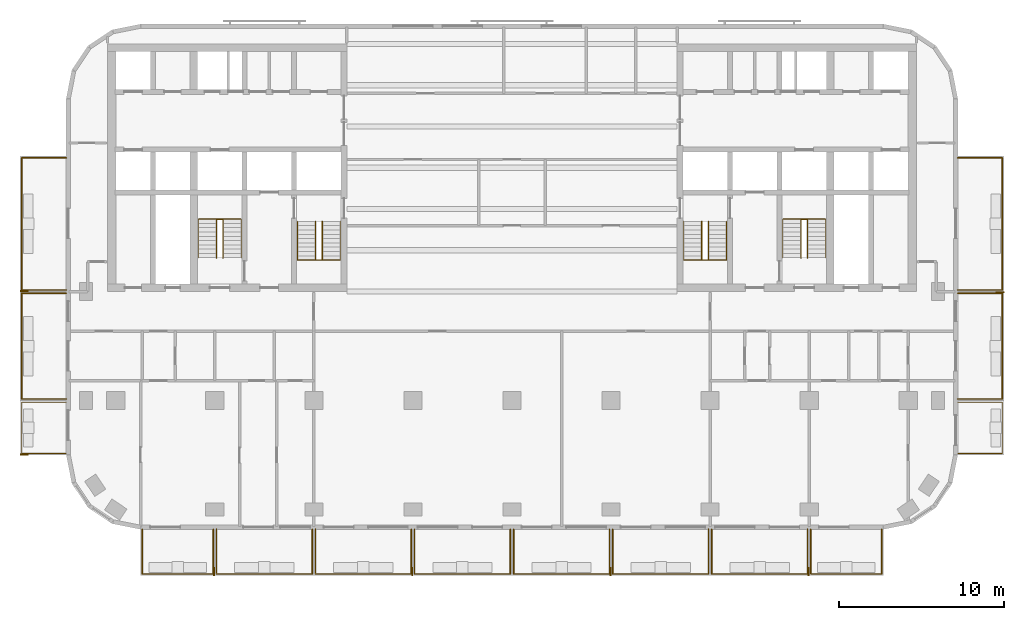
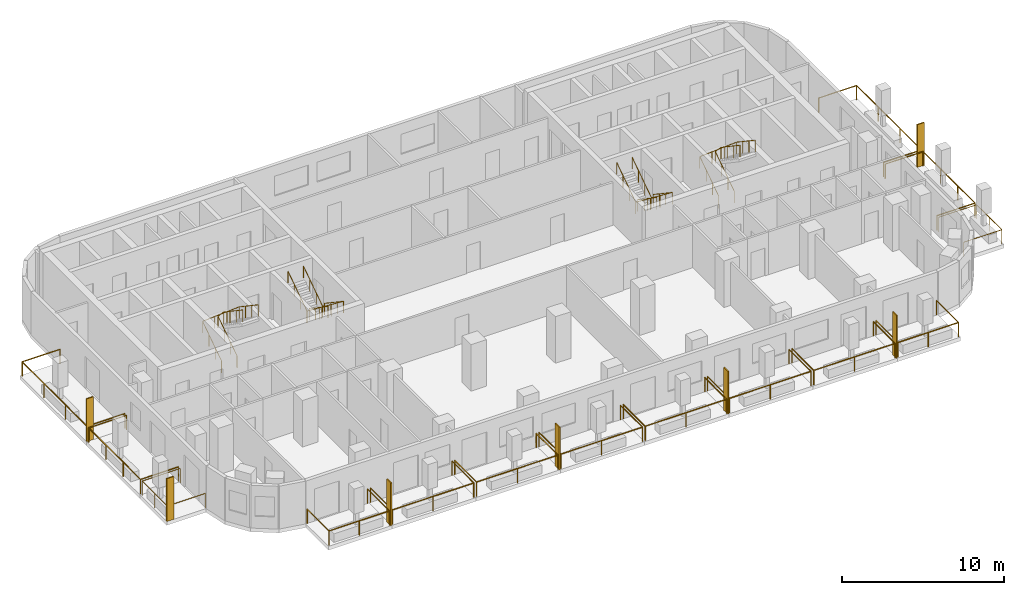
# One storey, part 9 of 11: 22 railings, 7 shading devices.
"""IFC4 building model written with IfcOpenShell, lengths in metres."""

from ifc_helpers import new_model, si_unit, direction, frame, origin, origin_2d, place, context, subcontext, project, spatial, rectangle, circle, extrude, material, layer, layer_set, type_object, element, save


model = new_model("IFC4")

# Units and contexts
model_context = context("Model", 3, precision=1e-05, world=origin(), true_north=direction((0.0, 1.0)))
body_context = subcontext(model_context, "Body", "Model", "MODEL_VIEW")
ifc_project = project(units=[si_unit("LENGTHUNIT", "METRE"), si_unit("AREAUNIT", "SQUARE_METRE"), si_unit("VOLUMEUNIT", "CUBIC_METRE"), si_unit("PLANEANGLEUNIT", "RADIAN"), si_unit("MASSUNIT", "GRAM", prefix="KILO")], contexts=[model_context])

# Site, building, storey
site_placement = place(None, origin())
site = spatial("IfcSite", under=ifc_project, at=site_placement, CompositionType="ELEMENT")
building_placement = place(site_placement, origin())
building = spatial("IfcBuilding", under=site, at=building_placement, Name="Torana Hotel and Residences", CompositionType="ELEMENT")
storey_placement = place(building_placement, frame((0.0, 0.0, 211.60009765625)))
storey = spatial("IfcBuildingStorey", under=building, at=storey_placement, Name="L55", CompositionType="ELEMENT", Elevation=211.60009765625)

# Shading devices
ifc_material_1 = material(Name="Black powder coated aluminium", Category="aluminium")
ifc_layer = layer(ifc_material_1, 0.080078125)
ifc_layer_set = layer_set([ifc_layer], Name="FN1 VERTICAL FIN 500x80")
shading_device_type = type_object("IfcShadingDeviceType", Name="FN1 VERTICAL FIN 500x80", PredefinedType="USERDEFINED", material=ifc_layer_set)
for number, where, z_axis, x_axis, name in (
    (1, (-18.0400390625, -31.949951171875, 0.0), (0.0, 0.0, 1.0), (-1.0, 0.0, 0.0), "Fin 01"),
    (2, (-6.0400390625, -31.949951171875, 0.0), (0.0, 0.0, 1.0), (-1.0, 0.0, 0.0), "Fin 03"),
    (3, (5.9599609375, -31.949951171875, 0.0), (0.0, 0.0, 1.0), (-1.0, 0.0, 0.0), "Fin 05"),
    (4, (17.9599609375, -31.949951171875, 0.0), (0.0, 0.0, 1.0), (-1.0, 0.0, 0.0), "Fin 07"),
    (5, (-29.550048828125, -24.860107421875, 0.0), (0.0, 0.0, 1.0), (0.0, 1.0, 0.0), "Fin 09"),
    (6, (-29.550048828125, -14.9599609375, 0.0), (0.0, 0.0, 1.0), (0.0, 1.0, 0.0), "Fin 11"),
    (7, (29.550048828125, -15.0400390625, 0.0), (0.0, 0.0, 1.0), (0.0, -1.0, 0.0), "Fin 13"),
):
    element("IfcShadingDevice", number, at=place(storey_placement, frame(where, z_axis=z_axis, x_axis=x_axis)), inside=storey, type_object=shading_device_type, Name=name, ObjectType="FIN", PredefinedType="USERDEFINED", context=body_context, shape_type="SweptSolid", body=[
        extrude(rectangle(XDim=0.080078125, YDim=0.5, at=origin_2d()), origin(), (0.0, 0.0, 1.0), 3.219970703125),
    ])

# Railings
ifc_material_2 = material(Name="Laminated glass balustrade with black handrail", Category="glass")
railing_type_1 = type_object("IfcRailingType", Name="GR1 BALCONY GUARD 1100 GLASS", PredefinedType="GUARDRAIL", material=ifc_material_2)
railing_1_placement = place(storey_placement, frame((-18.10009765625, -29.39990234375, 0.0)))
element("IfcRailing", 8, at=railing_1_placement, inside=storey, type_object=railing_type_1, Name="Balcony guard 01", PredefinedType="GUARDRAIL", context=body_context, shape_type="SweptSolid", body=[
    extrude(circle(Radius=0.02392578125, at=origin_2d()), frame((0.0, 0.0, 1.076171875), z_axis=(0.0, -1.0, 0.0), x_axis=(1.0, 0.0, 0.0)), (0.0, 0.0, 1.0), 2.7001953125),
    extrude(circle(Radius=0.02392578125, at=origin_2d()), frame((0.0, -2.7001953125, 1.076171875), z_axis=(-1.0, 0.0, 0.0), x_axis=(0.0, -1.0, 0.0)), (0.0, 0.0, 1.0), 4.2998046875),
    extrude(circle(Radius=0.02392578125, at=origin_2d()), frame((-4.2998046875, -2.7001953125, 1.076171875), z_axis=(0.0, 1.0, 0.0), x_axis=(-1.0, 0.0, 0.0)), (0.0, 0.0, 1.0), 2.7001953125),
    extrude(circle(Radius=0.02099609375, at=origin_2d()), origin(), (0.0, 0.0, 1.0), 1.052001953125),
    extrude(circle(Radius=0.02099609375, at=origin_2d()), frame((0.0, -2.7001953125, 0.0)), (0.0, 0.0, 1.0), 1.052001953125),
    extrude(circle(Radius=0.02099609375, at=origin_2d()), frame((-2.14990234375, -2.7001953125, 0.0)), (0.0, 0.0, 1.0), 1.052001953125),
    extrude(circle(Radius=0.02099609375, at=origin_2d()), frame((-4.2998046875, -2.7001953125, 0.0)), (0.0, 0.0, 1.0), 1.052001953125),
    extrude(circle(Radius=0.02099609375, at=origin_2d()), frame((-4.2998046875, 0.0, 0.0)), (0.0, 0.0, 1.0), 1.052001953125),
])
for number, where, name in (
    (9, (-12.10009765625, -29.39990234375, 0.0), "Balcony guard 02"),
    (10, (-6.10009765625, -29.39990234375, 0.0), "Balcony guard 03"),
    (11, (-0.10009765625, -29.39990234375, 0.0), "Balcony guard 04"),
    (12, (5.89990234375, -29.39990234375, 0.0), "Balcony guard 05"),
    (13, (11.89990234375, -29.39990234375, 0.0), "Balcony guard 06"),
    (14, (17.89990234375, -29.39990234375, 0.0), "Balcony guard 07"),
):
    element("IfcRailing", number, at=place(storey_placement, frame(where)), inside=storey, type_object=railing_type_1, Name=name, PredefinedType="GUARDRAIL", context=body_context, shape_type="SweptSolid", body=[
        extrude(circle(Radius=0.02392578125, at=origin_2d()), frame((0.0, 0.0, 1.076171875), z_axis=(0.0, -1.0, 0.0), x_axis=(1.0, 0.0, 0.0)), (0.0, 0.0, 1.0), 2.7001953125),
        extrude(circle(Radius=0.02392578125, at=origin_2d()), frame((0.0, -2.7001953125, 1.076171875), z_axis=(-1.0, 0.0, 0.0), x_axis=(0.0, -1.0, 0.0)), (0.0, 0.0, 1.0), 5.7998046875),
        extrude(circle(Radius=0.02392578125, at=origin_2d()), frame((-5.7998046875, -2.7001953125, 1.076171875), z_axis=(0.0, 1.0, 0.0), x_axis=(-1.0, 0.0, 0.0)), (0.0, 0.0, 1.0), 2.7001953125),
        extrude(circle(Radius=0.02099609375, at=origin_2d()), origin(), (0.0, 0.0, 1.0), 1.052001953125),
        extrude(circle(Radius=0.02099609375, at=origin_2d()), frame((0.0, -2.7001953125, 0.0)), (0.0, 0.0, 1.0), 1.052001953125),
        extrude(circle(Radius=0.02099609375, at=origin_2d()), frame((-2.89990234375, -2.7001953125, 0.0)), (0.0, 0.0, 1.0), 1.052001953125),
        extrude(circle(Radius=0.02099609375, at=origin_2d()), frame((-5.7998046875, -2.7001953125, 0.0)), (0.0, 0.0, 1.0), 1.052001953125),
        extrude(circle(Radius=0.02099609375, at=origin_2d()), frame((-5.7998046875, 0.0, 0.0)), (0.0, 0.0, 1.0), 1.052001953125),
    ])
railing_2_placement = place(storey_placement, frame((22.39990234375, -29.39990234375, 0.0)))
element("IfcRailing", 15, at=railing_2_placement, inside=storey, type_object=railing_type_1, Name="Balcony guard 08", PredefinedType="GUARDRAIL", context=body_context, shape_type="SweptSolid", body=[
    extrude(circle(Radius=0.02392578125, at=origin_2d()), frame((0.0, 0.0, 1.076171875), z_axis=(0.0, -1.0, 0.0), x_axis=(1.0, 0.0, 0.0)), (0.0, 0.0, 1.0), 2.7001953125),
    extrude(circle(Radius=0.02392578125, at=origin_2d()), frame((0.0, -2.7001953125, 1.076171875), z_axis=(-1.0, 0.0, 0.0), x_axis=(0.0, -1.0, 0.0)), (0.0, 0.0, 1.0), 4.2998046875),
    extrude(circle(Radius=0.02392578125, at=origin_2d()), frame((-4.2998046875, -2.7001953125, 1.076171875), z_axis=(0.0, 1.0, 0.0), x_axis=(-1.0, 0.0, 0.0)), (0.0, 0.0, 1.0), 2.7001953125),
    extrude(circle(Radius=0.02099609375, at=origin_2d()), origin(), (0.0, 0.0, 1.0), 1.052001953125),
    extrude(circle(Radius=0.02099609375, at=origin_2d()), frame((0.0, -2.7001953125, 0.0)), (0.0, 0.0, 1.0), 1.052001953125),
    extrude(circle(Radius=0.02099609375, at=origin_2d()), frame((-2.14990234375, -2.7001953125, 0.0)), (0.0, 0.0, 1.0), 1.052001953125),
    extrude(circle(Radius=0.02099609375, at=origin_2d()), frame((-4.2998046875, -2.7001953125, 0.0)), (0.0, 0.0, 1.0), 1.052001953125),
    extrude(circle(Radius=0.02099609375, at=origin_2d()), frame((-4.2998046875, 0.0, 0.0)), (0.0, 0.0, 1.0), 1.052001953125),
])
railing_3_placement = place(storey_placement, frame((-27.0, -24.800048828125, 0.0)))
element("IfcRailing", 16, at=railing_3_placement, inside=storey, type_object=railing_type_1, Name="Balcony guard 09", PredefinedType="GUARDRAIL", context=body_context, shape_type="SweptSolid", body=[
    extrude(circle(Radius=0.02392578125, at=origin_2d()), frame((0.0, 0.0, 1.076171875), z_axis=(-1.0, 0.0, 0.0), x_axis=(0.0, -1.0, 0.0)), (0.0, 0.0, 1.0), 2.699951171875),
    extrude(circle(Radius=0.02392578125, at=origin_2d()), frame((-2.699951171875, 0.0, 1.076171875), z_axis=(0.0, 1.0, 0.0), x_axis=(-1.0, 0.0, 0.0)), (0.0, 0.0, 1.0), 3.10009765625),
    extrude(circle(Radius=0.02392578125, at=origin_2d()), frame((-2.699951171875, 3.10009765625, 1.076171875), z_axis=(1.0, 0.0, 0.0), x_axis=(0.0, 1.0, 0.0)), (0.0, 0.0, 1.0), 2.699951171875),
    extrude(circle(Radius=0.02099609375, at=origin_2d()), origin(), (0.0, 0.0, 1.0), 1.052001953125),
    extrude(circle(Radius=0.02099609375, at=origin_2d()), frame((-2.699951171875, 0.0, 0.0)), (0.0, 0.0, 1.0), 1.052001953125),
    extrude(circle(Radius=0.02099609375, at=origin_2d()), frame((-2.699951171875, 1.550048828125, 0.0)), (0.0, 0.0, 1.0), 1.052001953125),
    extrude(circle(Radius=0.02099609375, at=origin_2d()), frame((-2.699951171875, 3.10009765625, 0.0)), (0.0, 0.0, 1.0), 1.052001953125),
    extrude(circle(Radius=0.02099609375, at=origin_2d()), frame((0.0, 3.10009765625, 0.0)), (0.0, 0.0, 1.0), 1.052001953125),
])
railing_4_placement = place(storey_placement, frame((-27.0, -21.5, 0.0)))
element("IfcRailing", 17, at=railing_4_placement, inside=storey, type_object=railing_type_1, Name="Balcony guard 10", PredefinedType="GUARDRAIL", context=body_context, shape_type="SweptSolid", body=[
    extrude(circle(Radius=0.02392578125, at=origin_2d()), frame((0.0, 0.0, 1.076171875), z_axis=(-1.0, 0.0, 0.0), x_axis=(0.0, -1.0, 0.0)), (0.0, 0.0, 1.0), 2.699951171875),
    extrude(circle(Radius=0.02392578125, at=origin_2d()), frame((-2.699951171875, 0.0, 1.076171875), z_axis=(0.0, 1.0, 0.0), x_axis=(-1.0, 0.0, 0.0)), (0.0, 0.0, 1.0), 6.39990234375),
    extrude(circle(Radius=0.02392578125, at=origin_2d()), frame((-2.699951171875, 6.39990234375, 1.076171875), z_axis=(1.0, 0.0, 0.0), x_axis=(0.0, 1.0, 0.0)), (0.0, 0.0, 1.0), 2.699951171875),
    extrude(circle(Radius=0.02099609375, at=origin_2d()), origin(), (0.0, 0.0, 1.0), 1.052001953125),
    extrude(circle(Radius=0.02099609375, at=origin_2d()), frame((-2.699951171875, 0.0, 0.0)), (0.0, 0.0, 1.0), 1.052001953125),
    extrude(circle(Radius=0.02099609375, at=origin_2d()), frame((-2.699951171875, 2.13330078125, 0.0)), (0.0, 0.0, 1.0), 1.052001953125),
    extrude(circle(Radius=0.02099609375, at=origin_2d()), frame((-2.699951171875, 4.2666015625, 0.0)), (0.0, 0.0, 1.0), 1.052001953125),
    extrude(circle(Radius=0.02099609375, at=origin_2d()), frame((-2.699951171875, 6.39990234375, 0.0)), (0.0, 0.0, 1.0), 1.052001953125),
    extrude(circle(Radius=0.02099609375, at=origin_2d()), frame((0.0, 6.39990234375, 0.0)), (0.0, 0.0, 1.0), 1.052001953125),
])
railing_5_placement = place(storey_placement, frame((-27.0, -14.89990234375, 0.0)))
element("IfcRailing", 18, at=railing_5_placement, inside=storey, type_object=railing_type_1, Name="Balcony guard 11", PredefinedType="GUARDRAIL", context=body_context, shape_type="SweptSolid", body=[
    extrude(circle(Radius=0.02392578125, at=origin_2d()), frame((0.0, 0.0, 1.076171875), z_axis=(-1.0, 0.0, 0.0), x_axis=(0.0, -1.0, 0.0)), (0.0, 0.0, 1.0), 2.699951171875),
    extrude(circle(Radius=0.02392578125, at=origin_2d()), frame((-2.699951171875, 0.0, 1.076171875), z_axis=(0.0, 1.0, 0.0), x_axis=(-1.0, 0.0, 0.0)), (0.0, 0.0, 1.0), 8.0),
    extrude(circle(Radius=0.02392578125, at=origin_2d()), frame((-2.699951171875, 8.0, 1.076171875), z_axis=(1.0, 0.0, 0.0), x_axis=(0.0, 1.0, 0.0)), (0.0, 0.0, 1.0), 2.699951171875),
    extrude(circle(Radius=0.02099609375, at=origin_2d()), origin(), (0.0, 0.0, 1.0), 1.052001953125),
    extrude(circle(Radius=0.02099609375, at=origin_2d()), frame((-2.699951171875, 0.0, 0.0)), (0.0, 0.0, 1.0), 1.052001953125),
    extrude(circle(Radius=0.02099609375, at=origin_2d()), frame((-2.699951171875, 2.666748046875, 0.0)), (0.0, 0.0, 1.0), 1.052001953125),
    extrude(circle(Radius=0.02099609375, at=origin_2d()), frame((-2.699951171875, 5.333251953125, 0.0)), (0.0, 0.0, 1.0), 1.052001953125),
    extrude(circle(Radius=0.02099609375, at=origin_2d()), frame((-2.699951171875, 8.0, 0.0)), (0.0, 0.0, 1.0), 1.052001953125),
    extrude(circle(Radius=0.02099609375, at=origin_2d()), frame((0.0, 8.0, 0.0)), (0.0, 0.0, 1.0), 1.052001953125),
])
railing_6_placement = place(storey_placement, frame((27.0, -21.699951171875, 0.0)))
element("IfcRailing", 19, at=railing_6_placement, inside=storey, type_object=railing_type_1, Name="Balcony guard 12", PredefinedType="GUARDRAIL", context=body_context, shape_type="SweptSolid", body=[
    extrude(circle(Radius=0.02392578125, at=origin_2d()), frame((0.0, 0.0, 1.076171875), z_axis=(1.0, 0.0, 0.0), x_axis=(0.0, 1.0, 0.0)), (0.0, 0.0, 1.0), 2.699951171875),
    extrude(circle(Radius=0.02392578125, at=origin_2d()), frame((2.699951171875, 0.0, 1.076171875), z_axis=(0.0, -1.0, 0.0), x_axis=(1.0, 0.0, 0.0)), (0.0, 0.0, 1.0), 3.10009765625),
    extrude(circle(Radius=0.02392578125, at=origin_2d()), frame((2.699951171875, -3.10009765625, 1.076171875), z_axis=(-1.0, 0.0, 0.0), x_axis=(0.0, -1.0, 0.0)), (0.0, 0.0, 1.0), 2.699951171875),
    extrude(circle(Radius=0.02099609375, at=origin_2d()), origin(), (0.0, 0.0, 1.0), 1.052001953125),
    extrude(circle(Radius=0.02099609375, at=origin_2d()), frame((2.699951171875, 0.0, 0.0)), (0.0, 0.0, 1.0), 1.052001953125),
    extrude(circle(Radius=0.02099609375, at=origin_2d()), frame((2.699951171875, -1.550048828125, 0.0)), (0.0, 0.0, 1.0), 1.052001953125),
    extrude(circle(Radius=0.02099609375, at=origin_2d()), frame((2.699951171875, -3.10009765625, 0.0)), (0.0, 0.0, 1.0), 1.052001953125),
    extrude(circle(Radius=0.02099609375, at=origin_2d()), frame((0.0, -3.10009765625, 0.0)), (0.0, 0.0, 1.0), 1.052001953125),
])
railing_7_placement = place(storey_placement, frame((27.0, -15.10009765625, 0.0)))
element("IfcRailing", 20, at=railing_7_placement, inside=storey, type_object=railing_type_1, Name="Balcony guard 13", PredefinedType="GUARDRAIL", context=body_context, shape_type="SweptSolid", body=[
    extrude(circle(Radius=0.02392578125, at=origin_2d()), frame((0.0, 0.0, 1.076171875), z_axis=(1.0, 0.0, 0.0), x_axis=(0.0, 1.0, 0.0)), (0.0, 0.0, 1.0), 2.699951171875),
    extrude(circle(Radius=0.02392578125, at=origin_2d()), frame((2.699951171875, 0.0, 1.076171875), z_axis=(0.0, -1.0, 0.0), x_axis=(1.0, 0.0, 0.0)), (0.0, 0.0, 1.0), 6.39990234375),
    extrude(circle(Radius=0.02392578125, at=origin_2d()), frame((2.699951171875, -6.39990234375, 1.076171875), z_axis=(-1.0, 0.0, 0.0), x_axis=(0.0, -1.0, 0.0)), (0.0, 0.0, 1.0), 2.699951171875),
    extrude(circle(Radius=0.02099609375, at=origin_2d()), origin(), (0.0, 0.0, 1.0), 1.052001953125),
    extrude(circle(Radius=0.02099609375, at=origin_2d()), frame((2.699951171875, 0.0, 0.0)), (0.0, 0.0, 1.0), 1.052001953125),
    extrude(circle(Radius=0.02099609375, at=origin_2d()), frame((2.699951171875, -2.13330078125, 0.0)), (0.0, 0.0, 1.0), 1.052001953125),
    extrude(circle(Radius=0.02099609375, at=origin_2d()), frame((2.699951171875, -4.2666015625, 0.0)), (0.0, 0.0, 1.0), 1.052001953125),
    extrude(circle(Radius=0.02099609375, at=origin_2d()), frame((2.699951171875, -6.39990234375, 0.0)), (0.0, 0.0, 1.0), 1.052001953125),
    extrude(circle(Radius=0.02099609375, at=origin_2d()), frame((0.0, -6.39990234375, 0.0)), (0.0, 0.0, 1.0), 1.052001953125),
])
railing_8_placement = place(storey_placement, frame((27.0, -6.89990234375, 0.0)))
element("IfcRailing", 21, at=railing_8_placement, inside=storey, type_object=railing_type_1, Name="Balcony guard 14", PredefinedType="GUARDRAIL", context=body_context, shape_type="SweptSolid", body=[
    extrude(circle(Radius=0.02392578125, at=origin_2d()), frame((0.0, 0.0, 1.076171875), z_axis=(1.0, 0.0, 0.0), x_axis=(0.0, 1.0, 0.0)), (0.0, 0.0, 1.0), 2.699951171875),
    extrude(circle(Radius=0.02392578125, at=origin_2d()), frame((2.699951171875, 0.0, 1.076171875), z_axis=(0.0, -1.0, 0.0), x_axis=(1.0, 0.0, 0.0)), (0.0, 0.0, 1.0), 8.0),
    extrude(circle(Radius=0.02392578125, at=origin_2d()), frame((2.699951171875, -8.0, 1.076171875), z_axis=(-1.0, 0.0, 0.0), x_axis=(0.0, -1.0, 0.0)), (0.0, 0.0, 1.0), 2.699951171875),
    extrude(circle(Radius=0.02099609375, at=origin_2d()), origin(), (0.0, 0.0, 1.0), 1.052001953125),
    extrude(circle(Radius=0.02099609375, at=origin_2d()), frame((2.699951171875, 0.0, 0.0)), (0.0, 0.0, 1.0), 1.052001953125),
    extrude(circle(Radius=0.02099609375, at=origin_2d()), frame((2.699951171875, -2.666748046875, 0.0)), (0.0, 0.0, 1.0), 1.052001953125),
    extrude(circle(Radius=0.02099609375, at=origin_2d()), frame((2.699951171875, -5.333251953125, 0.0)), (0.0, 0.0, 1.0), 1.052001953125),
    extrude(circle(Radius=0.02099609375, at=origin_2d()), frame((2.699951171875, -8.0, 0.0)), (0.0, 0.0, 1.0), 1.052001953125),
    extrude(circle(Radius=0.02099609375, at=origin_2d()), frame((0.0, -8.0, 0.0)), (0.0, 0.0, 1.0), 1.052001953125),
])
ifc_material_3 = material(Name="Stainless steel 316", Category="steel")
railing_type_2 = type_object("IfcRailingType", Name="STAIR HANDRAIL HR1 900", PredefinedType="HANDRAIL", material=ifc_material_3)
railing_9_placement = place(storey_placement, frame((-10.39990234375, -10.75, 0.1748046875)))
element("IfcRailing", 22, at=railing_9_placement, inside=storey, type_object=railing_type_2, Name="Handrail ST1 L55 O1", PredefinedType="HANDRAIL", context=body_context, shape_type="SweptSolid", body=[
    extrude(circle(Radius=0.02392578125, at=origin_2d()), frame((0.0, 0.0, 0.8759765625), z_axis=(0.0, -0.829565388462, 0.558409586474), x_axis=(1.0, 0.0, 0.0)), (0.0, 0.0, 1.0), 2.82080078125),
    extrude(circle(Radius=0.02392578125, at=origin_2d()), frame((0.0, -2.340087890625, 2.451171875), z_axis=(-0.997747692642, 0.0, 0.067078624219), x_axis=(0.0, -1.0, 0.0)), (0.0, 0.0, 1.0), 2.60595703125),
    extrude(circle(Radius=0.02392578125, at=origin_2d()), frame((-2.60009765625, -2.340087890625, 2.6259765625), z_axis=(0.0, 0.829565388462, 0.558409586474), x_axis=(-1.0, 0.0, 0.0)), (0.0, 0.0, 1.0), 2.82080078125),
    extrude(circle(Radius=0.02099609375, at=origin_2d()), origin(), (0.0, 0.0, 1.0), 0.851806640625),
    extrude(circle(Radius=0.02099609375, at=origin_2d()), frame((0.0, -0.780029296875, 0.525146484375)), (0.0, 0.0, 1.0), 0.851806640625),
    extrude(circle(Radius=0.02099609375, at=origin_2d()), frame((0.0, -1.56005859375, 1.050048828125)), (0.0, 0.0, 1.0), 0.851806640625),
    extrude(circle(Radius=0.02099609375, at=origin_2d()), frame((0.0, -2.340087890625, 1.5751953125)), (0.0, 0.0, 1.0), 0.851806640625),
    extrude(circle(Radius=0.02099609375, at=origin_2d()), frame((-0.86669921875, -2.340087890625, 1.633544921875)), (0.0, 0.0, 1.0), 0.851806640625),
    extrude(circle(Radius=0.02099609375, at=origin_2d()), frame((-1.7333984375, -2.340087890625, 1.691650390625)), (0.0, 0.0, 1.0), 0.851806640625),
    extrude(circle(Radius=0.02099609375, at=origin_2d()), frame((-2.60009765625, -2.340087890625, 1.75)), (0.0, 0.0, 1.0), 0.851806640625),
    extrude(circle(Radius=0.02099609375, at=origin_2d()), frame((-2.60009765625, -1.56005859375, 2.275146484375)), (0.0, 0.0, 1.0), 0.851806640625),
    extrude(circle(Radius=0.02099609375, at=origin_2d()), frame((-2.60009765625, -0.780029296875, 2.800048828125)), (0.0, 0.0, 1.0), 0.851806640625),
    extrude(circle(Radius=0.02099609375, at=origin_2d()), frame((-2.60009765625, 0.0, 3.3251953125)), (0.0, 0.0, 1.0), 0.851806640625),
])
railing_10_placement = place(storey_placement, frame((-11.5, -10.75, 0.1748046875)))
element("IfcRailing", 23, at=railing_10_placement, inside=storey, type_object=railing_type_2, Name="Handrail ST1 L55 I1", PredefinedType="HANDRAIL", context=body_context, shape_type="SweptSolid", body=[
    extrude(circle(Radius=0.02392578125, at=origin_2d()), frame((0.0, 0.0, 0.8759765625), z_axis=(0.0, -0.829565388462, 0.558409586474), x_axis=(1.0, 0.0, 0.0)), (0.0, 0.0, 1.0), 2.82080078125),
    extrude(circle(Radius=0.02392578125, at=origin_2d()), frame((0.0, -2.340087890625, 2.451171875), z_axis=(-0.916285673175, 0.0, 0.400525361412), x_axis=(0.0, -1.0, 0.0)), (0.0, 0.0, 1.0), 0.4365234375),
    extrude(circle(Radius=0.02392578125, at=origin_2d()), frame((-0.39990234375, -2.340087890625, 2.6259765625), z_axis=(0.0, 0.829565388462, 0.558409586474), x_axis=(-1.0, 0.0, 0.0)), (0.0, 0.0, 1.0), 2.82080078125),
    extrude(circle(Radius=0.02099609375, at=origin_2d()), origin(), (0.0, 0.0, 1.0), 0.851806640625),
    extrude(circle(Radius=0.02099609375, at=origin_2d()), frame((0.0, -0.780029296875, 0.525146484375)), (0.0, 0.0, 1.0), 0.851806640625),
    extrude(circle(Radius=0.02099609375, at=origin_2d()), frame((0.0, -1.56005859375, 1.050048828125)), (0.0, 0.0, 1.0), 0.851806640625),
    extrude(circle(Radius=0.02099609375, at=origin_2d()), frame((0.0, -2.340087890625, 1.5751953125)), (0.0, 0.0, 1.0), 0.851806640625),
    extrude(circle(Radius=0.02099609375, at=origin_2d()), frame((-0.39990234375, -2.340087890625, 1.75)), (0.0, 0.0, 1.0), 0.851806640625),
    extrude(circle(Radius=0.02099609375, at=origin_2d()), frame((-0.39990234375, -1.56005859375, 2.275146484375)), (0.0, 0.0, 1.0), 0.851806640625),
    extrude(circle(Radius=0.02099609375, at=origin_2d()), frame((-0.39990234375, -0.780029296875, 2.800048828125)), (0.0, 0.0, 1.0), 0.851806640625),
    extrude(circle(Radius=0.02099609375, at=origin_2d()), frame((-0.39990234375, 0.0, 3.3251953125)), (0.0, 0.0, 1.0), 0.851806640625),
])
railing_11_placement = place(storey_placement, frame((-19.0, -12.949951171875, 0.1748046875)))
element("IfcRailing", 24, at=railing_11_placement, inside=storey, type_object=railing_type_2, Name="Handrail ST2 L55 O1", PredefinedType="HANDRAIL", context=body_context, shape_type="SweptSolid", body=[
    extrude(circle(Radius=0.02392578125, at=origin_2d()), frame((0.0, 0.0, 0.8759765625), z_axis=(0.0, 0.829538397957, 0.558449681095), x_axis=(-1.0, 0.0, 0.0)), (0.0, 0.0, 1.0), 2.820556640625),
    extrude(circle(Radius=0.02392578125, at=origin_2d()), frame((0.0, 2.33984375, 2.451171875), z_axis=(0.997747692642, 0.0, 0.067078624219), x_axis=(0.0, 1.0, 0.0)), (0.0, 0.0, 1.0), 2.60595703125),
    extrude(circle(Radius=0.02392578125, at=origin_2d()), frame((2.60009765625, 2.33984375, 2.6259765625), z_axis=(0.0, -0.829538397957, 0.558449681095), x_axis=(1.0, 0.0, 0.0)), (0.0, 0.0, 1.0), 2.820556640625),
    extrude(circle(Radius=0.02099609375, at=origin_2d()), origin(), (0.0, 0.0, 1.0), 0.851806640625),
    extrude(circle(Radius=0.02099609375, at=origin_2d()), frame((0.0, 0.780029296875, 0.525146484375)), (0.0, 0.0, 1.0), 0.851806640625),
    extrude(circle(Radius=0.02099609375, at=origin_2d()), frame((0.0, 1.559814453125, 1.050048828125)), (0.0, 0.0, 1.0), 0.851806640625),
    extrude(circle(Radius=0.02099609375, at=origin_2d()), frame((0.0, 2.33984375, 1.5751953125)), (0.0, 0.0, 1.0), 0.851806640625),
    extrude(circle(Radius=0.02099609375, at=origin_2d()), frame((0.86669921875, 2.33984375, 1.633544921875)), (0.0, 0.0, 1.0), 0.851806640625),
    extrude(circle(Radius=0.02099609375, at=origin_2d()), frame((1.7333984375, 2.33984375, 1.691650390625)), (0.0, 0.0, 1.0), 0.851806640625),
    extrude(circle(Radius=0.02099609375, at=origin_2d()), frame((2.60009765625, 2.33984375, 1.75)), (0.0, 0.0, 1.0), 0.851806640625),
    extrude(circle(Radius=0.02099609375, at=origin_2d()), frame((2.60009765625, 1.559814453125, 2.275146484375)), (0.0, 0.0, 1.0), 0.851806640625),
    extrude(circle(Radius=0.02099609375, at=origin_2d()), frame((2.60009765625, 0.780029296875, 2.800048828125)), (0.0, 0.0, 1.0), 0.851806640625),
    extrude(circle(Radius=0.02099609375, at=origin_2d()), frame((2.60009765625, 0.0, 3.3251953125)), (0.0, 0.0, 1.0), 0.851806640625),
])
railing_12_placement = place(storey_placement, frame((-17.89990234375, -12.949951171875, 0.1748046875)))
element("IfcRailing", 25, at=railing_12_placement, inside=storey, type_object=railing_type_2, Name="Handrail ST2 L55 I1", PredefinedType="HANDRAIL", context=body_context, shape_type="SweptSolid", body=[
    extrude(circle(Radius=0.02392578125, at=origin_2d()), frame((0.0, 0.0, 0.8759765625), z_axis=(0.0, 0.829538397957, 0.558449681095), x_axis=(-1.0, 0.0, 0.0)), (0.0, 0.0, 1.0), 2.820556640625),
    extrude(circle(Radius=0.02392578125, at=origin_2d()), frame((0.0, 2.33984375, 2.451171875), z_axis=(0.916285673175, 0.0, 0.400525361412), x_axis=(0.0, 1.0, 0.0)), (0.0, 0.0, 1.0), 0.4365234375),
    extrude(circle(Radius=0.02392578125, at=origin_2d()), frame((0.39990234375, 2.33984375, 2.6259765625), z_axis=(0.0, -0.829538397957, 0.558449681095), x_axis=(1.0, 0.0, 0.0)), (0.0, 0.0, 1.0), 2.820556640625),
    extrude(circle(Radius=0.02099609375, at=origin_2d()), origin(), (0.0, 0.0, 1.0), 0.851806640625),
    extrude(circle(Radius=0.02099609375, at=origin_2d()), frame((0.0, 0.780029296875, 0.525146484375)), (0.0, 0.0, 1.0), 0.851806640625),
    extrude(circle(Radius=0.02099609375, at=origin_2d()), frame((0.0, 1.559814453125, 1.050048828125)), (0.0, 0.0, 1.0), 0.851806640625),
    extrude(circle(Radius=0.02099609375, at=origin_2d()), frame((0.0, 2.33984375, 1.5751953125)), (0.0, 0.0, 1.0), 0.851806640625),
    extrude(circle(Radius=0.02099609375, at=origin_2d()), frame((0.39990234375, 2.33984375, 1.75)), (0.0, 0.0, 1.0), 0.851806640625),
    extrude(circle(Radius=0.02099609375, at=origin_2d()), frame((0.39990234375, 1.559814453125, 2.275146484375)), (0.0, 0.0, 1.0), 0.851806640625),
    extrude(circle(Radius=0.02099609375, at=origin_2d()), frame((0.39990234375, 0.780029296875, 2.800048828125)), (0.0, 0.0, 1.0), 0.851806640625),
    extrude(circle(Radius=0.02099609375, at=origin_2d()), frame((0.39990234375, 0.0, 3.3251953125)), (0.0, 0.0, 1.0), 0.851806640625),
])
railing_13_placement = place(storey_placement, frame((13.0, -10.75, 0.1748046875)))
element("IfcRailing", 26, at=railing_13_placement, inside=storey, type_object=railing_type_2, Name="Handrail ST3 L55 O1", PredefinedType="HANDRAIL", context=body_context, shape_type="SweptSolid", body=[
    extrude(circle(Radius=0.02392578125, at=origin_2d()), frame((0.0, 0.0, 0.8759765625), z_axis=(0.0, -0.829565388462, 0.558409586474), x_axis=(1.0, 0.0, 0.0)), (0.0, 0.0, 1.0), 2.82080078125),
    extrude(circle(Radius=0.02392578125, at=origin_2d()), frame((0.0, -2.340087890625, 2.451171875), z_axis=(-0.997747692642, 0.0, 0.067078624219), x_axis=(0.0, -1.0, 0.0)), (0.0, 0.0, 1.0), 2.60595703125),
    extrude(circle(Radius=0.02392578125, at=origin_2d()), frame((-2.60009765625, -2.340087890625, 2.6259765625), z_axis=(0.0, 0.829565388462, 0.558409586474), x_axis=(-1.0, 0.0, 0.0)), (0.0, 0.0, 1.0), 2.82080078125),
    extrude(circle(Radius=0.02099609375, at=origin_2d()), origin(), (0.0, 0.0, 1.0), 0.851806640625),
    extrude(circle(Radius=0.02099609375, at=origin_2d()), frame((0.0, -0.780029296875, 0.525146484375)), (0.0, 0.0, 1.0), 0.851806640625),
    extrude(circle(Radius=0.02099609375, at=origin_2d()), frame((0.0, -1.56005859375, 1.050048828125)), (0.0, 0.0, 1.0), 0.851806640625),
    extrude(circle(Radius=0.02099609375, at=origin_2d()), frame((0.0, -2.340087890625, 1.5751953125)), (0.0, 0.0, 1.0), 0.851806640625),
    extrude(circle(Radius=0.02099609375, at=origin_2d()), frame((-0.86669921875, -2.340087890625, 1.633544921875)), (0.0, 0.0, 1.0), 0.851806640625),
    extrude(circle(Radius=0.02099609375, at=origin_2d()), frame((-1.7333984375, -2.340087890625, 1.691650390625)), (0.0, 0.0, 1.0), 0.851806640625),
    extrude(circle(Radius=0.02099609375, at=origin_2d()), frame((-2.60009765625, -2.340087890625, 1.75)), (0.0, 0.0, 1.0), 0.851806640625),
    extrude(circle(Radius=0.02099609375, at=origin_2d()), frame((-2.60009765625, -1.56005859375, 2.275146484375)), (0.0, 0.0, 1.0), 0.851806640625),
    extrude(circle(Radius=0.02099609375, at=origin_2d()), frame((-2.60009765625, -0.780029296875, 2.800048828125)), (0.0, 0.0, 1.0), 0.851806640625),
    extrude(circle(Radius=0.02099609375, at=origin_2d()), frame((-2.60009765625, 0.0, 3.3251953125)), (0.0, 0.0, 1.0), 0.851806640625),
])
railing_14_placement = place(storey_placement, frame((11.89990234375, -10.75, 0.1748046875)))
element("IfcRailing", 27, at=railing_14_placement, inside=storey, type_object=railing_type_2, Name="Handrail ST3 L55 I1", PredefinedType="HANDRAIL", context=body_context, shape_type="SweptSolid", body=[
    extrude(circle(Radius=0.02392578125, at=origin_2d()), frame((0.0, 0.0, 0.8759765625), z_axis=(0.0, -0.829565388462, 0.558409586474), x_axis=(1.0, 0.0, 0.0)), (0.0, 0.0, 1.0), 2.82080078125),
    extrude(circle(Radius=0.02392578125, at=origin_2d()), frame((0.0, -2.340087890625, 2.451171875), z_axis=(-0.916285673175, 0.0, 0.400525361412), x_axis=(0.0, -1.0, 0.0)), (0.0, 0.0, 1.0), 0.4365234375),
    extrude(circle(Radius=0.02392578125, at=origin_2d()), frame((-0.39990234375, -2.340087890625, 2.6259765625), z_axis=(0.0, 0.829565388462, 0.558409586474), x_axis=(-1.0, 0.0, 0.0)), (0.0, 0.0, 1.0), 2.82080078125),
    extrude(circle(Radius=0.02099609375, at=origin_2d()), origin(), (0.0, 0.0, 1.0), 0.851806640625),
    extrude(circle(Radius=0.02099609375, at=origin_2d()), frame((0.0, -0.780029296875, 0.525146484375)), (0.0, 0.0, 1.0), 0.851806640625),
    extrude(circle(Radius=0.02099609375, at=origin_2d()), frame((0.0, -1.56005859375, 1.050048828125)), (0.0, 0.0, 1.0), 0.851806640625),
    extrude(circle(Radius=0.02099609375, at=origin_2d()), frame((0.0, -2.340087890625, 1.5751953125)), (0.0, 0.0, 1.0), 0.851806640625),
    extrude(circle(Radius=0.02099609375, at=origin_2d()), frame((-0.39990234375, -2.340087890625, 1.75)), (0.0, 0.0, 1.0), 0.851806640625),
    extrude(circle(Radius=0.02099609375, at=origin_2d()), frame((-0.39990234375, -1.56005859375, 2.275146484375)), (0.0, 0.0, 1.0), 0.851806640625),
    extrude(circle(Radius=0.02099609375, at=origin_2d()), frame((-0.39990234375, -0.780029296875, 2.800048828125)), (0.0, 0.0, 1.0), 0.851806640625),
    extrude(circle(Radius=0.02099609375, at=origin_2d()), frame((-0.39990234375, 0.0, 3.3251953125)), (0.0, 0.0, 1.0), 0.851806640625),
])
railing_15_placement = place(storey_placement, frame((16.39990234375, -12.949951171875, 0.1748046875)))
element("IfcRailing", 28, at=railing_15_placement, inside=storey, type_object=railing_type_2, Name="Handrail ST4 L55 O1", PredefinedType="HANDRAIL", context=body_context, shape_type="SweptSolid", body=[
    extrude(circle(Radius=0.02392578125, at=origin_2d()), frame((0.0, 0.0, 0.8759765625), z_axis=(0.0, 0.829538397957, 0.558449681095), x_axis=(-1.0, 0.0, 0.0)), (0.0, 0.0, 1.0), 2.820556640625),
    extrude(circle(Radius=0.02392578125, at=origin_2d()), frame((0.0, 2.33984375, 2.451171875), z_axis=(0.997747692642, 0.0, 0.067078624219), x_axis=(0.0, 1.0, 0.0)), (0.0, 0.0, 1.0), 2.60595703125),
    extrude(circle(Radius=0.02392578125, at=origin_2d()), frame((2.60009765625, 2.33984375, 2.6259765625), z_axis=(0.0, -0.829538397957, 0.558449681095), x_axis=(1.0, 0.0, 0.0)), (0.0, 0.0, 1.0), 2.820556640625),
    extrude(circle(Radius=0.02099609375, at=origin_2d()), origin(), (0.0, 0.0, 1.0), 0.851806640625),
    extrude(circle(Radius=0.02099609375, at=origin_2d()), frame((0.0, 0.780029296875, 0.525146484375)), (0.0, 0.0, 1.0), 0.851806640625),
    extrude(circle(Radius=0.02099609375, at=origin_2d()), frame((0.0, 1.559814453125, 1.050048828125)), (0.0, 0.0, 1.0), 0.851806640625),
    extrude(circle(Radius=0.02099609375, at=origin_2d()), frame((0.0, 2.33984375, 1.5751953125)), (0.0, 0.0, 1.0), 0.851806640625),
    extrude(circle(Radius=0.02099609375, at=origin_2d()), frame((0.86669921875, 2.33984375, 1.633544921875)), (0.0, 0.0, 1.0), 0.851806640625),
    extrude(circle(Radius=0.02099609375, at=origin_2d()), frame((1.7333984375, 2.33984375, 1.691650390625)), (0.0, 0.0, 1.0), 0.851806640625),
    extrude(circle(Radius=0.02099609375, at=origin_2d()), frame((2.60009765625, 2.33984375, 1.75)), (0.0, 0.0, 1.0), 0.851806640625),
    extrude(circle(Radius=0.02099609375, at=origin_2d()), frame((2.60009765625, 1.559814453125, 2.275146484375)), (0.0, 0.0, 1.0), 0.851806640625),
    extrude(circle(Radius=0.02099609375, at=origin_2d()), frame((2.60009765625, 0.780029296875, 2.800048828125)), (0.0, 0.0, 1.0), 0.851806640625),
    extrude(circle(Radius=0.02099609375, at=origin_2d()), frame((2.60009765625, 0.0, 3.3251953125)), (0.0, 0.0, 1.0), 0.851806640625),
])
railing_16_placement = place(storey_placement, frame((17.5, -12.949951171875, 0.1748046875)))
element("IfcRailing", 29, at=railing_16_placement, inside=storey, type_object=railing_type_2, Name="Handrail ST4 L55 I1", PredefinedType="HANDRAIL", context=body_context, shape_type="SweptSolid", body=[
    extrude(circle(Radius=0.02392578125, at=origin_2d()), frame((0.0, 0.0, 0.8759765625), z_axis=(0.0, 0.829538397957, 0.558449681095), x_axis=(-1.0, 0.0, 0.0)), (0.0, 0.0, 1.0), 2.820556640625),
    extrude(circle(Radius=0.02392578125, at=origin_2d()), frame((0.0, 2.33984375, 2.451171875), z_axis=(0.916285673175, 0.0, 0.400525361412), x_axis=(0.0, 1.0, 0.0)), (0.0, 0.0, 1.0), 0.4365234375),
    extrude(circle(Radius=0.02392578125, at=origin_2d()), frame((0.39990234375, 2.33984375, 2.6259765625), z_axis=(0.0, -0.829538397957, 0.558449681095), x_axis=(1.0, 0.0, 0.0)), (0.0, 0.0, 1.0), 2.820556640625),
    extrude(circle(Radius=0.02099609375, at=origin_2d()), origin(), (0.0, 0.0, 1.0), 0.851806640625),
    extrude(circle(Radius=0.02099609375, at=origin_2d()), frame((0.0, 0.780029296875, 0.525146484375)), (0.0, 0.0, 1.0), 0.851806640625),
    extrude(circle(Radius=0.02099609375, at=origin_2d()), frame((0.0, 1.559814453125, 1.050048828125)), (0.0, 0.0, 1.0), 0.851806640625),
    extrude(circle(Radius=0.02099609375, at=origin_2d()), frame((0.0, 2.33984375, 1.5751953125)), (0.0, 0.0, 1.0), 0.851806640625),
    extrude(circle(Radius=0.02099609375, at=origin_2d()), frame((0.39990234375, 2.33984375, 1.75)), (0.0, 0.0, 1.0), 0.851806640625),
    extrude(circle(Radius=0.02099609375, at=origin_2d()), frame((0.39990234375, 1.559814453125, 2.275146484375)), (0.0, 0.0, 1.0), 0.851806640625),
    extrude(circle(Radius=0.02099609375, at=origin_2d()), frame((0.39990234375, 0.780029296875, 2.800048828125)), (0.0, 0.0, 1.0), 0.851806640625),
    extrude(circle(Radius=0.02099609375, at=origin_2d()), frame((0.39990234375, 0.0, 3.3251953125)), (0.0, 0.0, 1.0), 0.851806640625),
])

save(model, "model.ifc")
